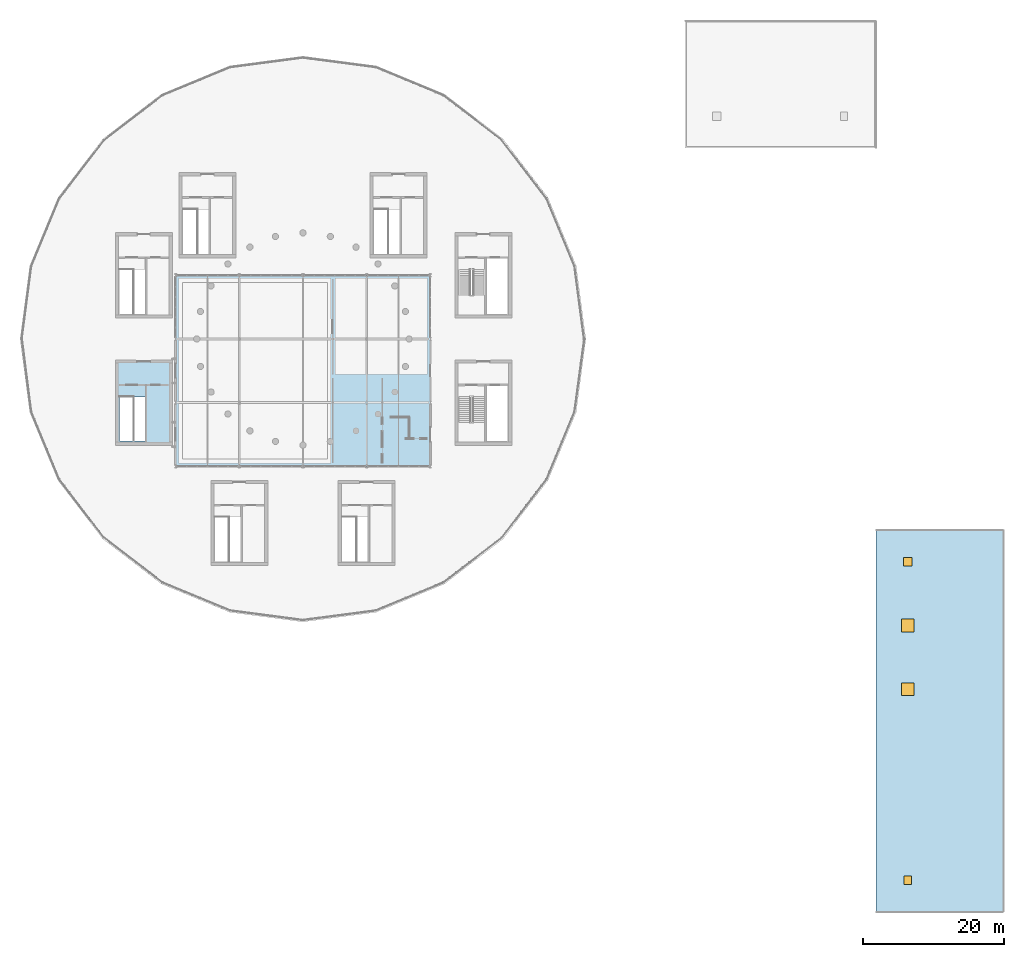
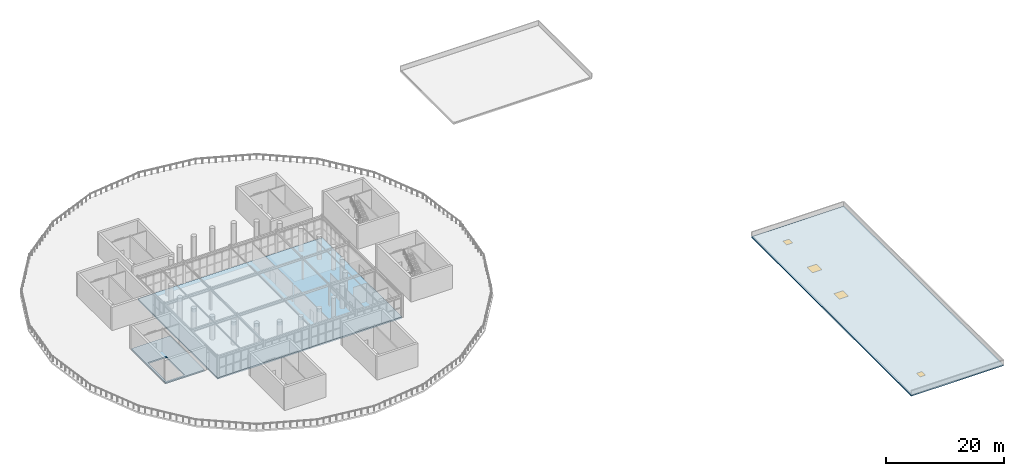
# One storey, part 17 of 29: 3 slabs, 2 doors, 2 windows, 4 openings.
"""IFC4 building model written with IfcOpenShell, lengths in metres."""

from ifc_helpers import new_model, si_unit, direction, frame, origin, origin_2d, place, context, subcontext, project, spatial, polyline, rectangle, outline, extrude, material, layer, layer_set, type_object, element, fill, save


model = new_model("IFC4")

# Units and contexts
model_context = context("Model", 3, precision=1e-05, world=origin(), true_north=direction((0.0, 1.0)))
body_context = subcontext(model_context, "Body", "Model", "MODEL_VIEW")
ifc_project = project(units=[si_unit("LENGTHUNIT", "METRE"), si_unit("AREAUNIT", "SQUARE_METRE"), si_unit("VOLUMEUNIT", "CUBIC_METRE"), si_unit("PLANEANGLEUNIT", "RADIAN"), si_unit("MASSUNIT", "GRAM", prefix="KILO")], contexts=[model_context])

# Site, building, storey
site_placement = place(None, origin())
site = spatial("IfcSite", under=ifc_project, at=site_placement, CompositionType="ELEMENT")
building_placement = place(site_placement, origin())
building = spatial("IfcBuilding", under=site, at=building_placement, Name="Dornveld Trade and Exhibition Forum", CompositionType="ELEMENT")
storey_placement = place(building_placement, frame((0.0, 0.0, 21.60009765625)))
storey = spatial("IfcBuildingStorey", under=building, at=storey_placement, Name="L04", CompositionType="ELEMENT", Elevation=21.60009765625)

# Slabs
ifc_material_1 = material(Name="Concrete C40/50", Category="concrete")
ifc_layer_1 = layer(ifc_material_1, 0.2900390625)
ifc_layer_set_1 = layer_set([ifc_layer_1], Name="Concrete C40/50")
slab_type_1 = type_object("IfcSlabType", Name="SL-DISC-290", PredefinedType="FLOOR", material=ifc_layer_set_1)
slab_1_placement = place(storey_placement, frame((0.0, 0.0, -0.2900390625)))
element("IfcSlab", 1, at=slab_1_placement, inside=storey, type_object=slab_type_1, Name="L04 Belvedere Exhibition Gallery floor slab", PredefinedType="FLOOR", context=body_context, shape_type="SweptSolid", body=[
    extrude(outline(polyline([(99.0, 63.0), (135.0, 63.0), (135.0, 90.0), (99.0, 90.0), (99.0, 63.0)])), origin(), (0.0, 0.0, 1.0), 0.2900390625),
])
slab_2_placement = place(storey_placement, frame((0.0, 0.0, -0.2900390625)))
element("IfcSlab", 2, at=slab_2_placement, inside=storey, type_object=slab_type_1, Name="L04 CORE-05 indoor core lobby slab", PredefinedType="FLOOR", context=body_context, shape_type="SweptSolid", body=[
    extrude(outline(polyline([(90.699951171875, 66.199951171875), (98.300048828125, 66.199951171875), (98.300048828125, 77.800048828125), (90.699951171875, 77.800048828125), (90.699951171875, 66.199951171875)]), holes=[polyline([(91.050048828125, 66.550048828125), (94.64990234375, 66.550048828125), (94.64990234375, 72.830078125), (91.050048828125, 72.830078125), (91.050048828125, 66.550048828125)])]), origin(), (0.0, 0.0, 1.0), 0.2900390625),
])

# Slab, openings, doors, windows
ifc_material_2 = material(Name="Concrete C40/50", Category="concrete")
ifc_layer_2 = layer(ifc_material_2, 0.25)
ifc_layer_set_2 = layer_set([ifc_layer_2], Name="Concrete C40/50")
slab_type_2 = type_object("IfcSlabType", Name="SL-ROOF-250", PredefinedType="ROOF", material=ifc_layer_set_2)
slab_3_placement = place(storey_placement, frame((0.0, 0.0, -0.25)))
slab_3 = element("IfcSlab", 3, at=slab_3_placement, inside=storey, type_object=slab_type_2, Name="East Congress Wing upper flat roof slab", PredefinedType="ROOF", context=body_context, shape_type="SweptSolid", body=[
    extrude(outline(polyline([(198.0, 0.0), (216.0, 0.0), (216.0, 54.0), (198.0, 54.0), (198.0, 0.0)]), holes=[polyline([(201.60009765625, 30.60009765625), (203.39990234375, 30.60009765625), (203.39990234375, 32.39990234375), (201.60009765625, 32.39990234375), (201.60009765625, 30.60009765625)]), polyline([(201.60009765625, 39.60009765625), (203.39990234375, 39.60009765625), (203.39990234375, 41.39990234375), (201.60009765625, 41.39990234375), (201.60009765625, 39.60009765625)]), polyline([(201.89990234375, 48.89990234375), (203.10009765625, 48.89990234375), (203.10009765625, 50.10009765625), (201.89990234375, 50.10009765625), (201.89990234375, 48.89990234375)]), polyline([(202.0, 3.89990234375), (203.0, 3.89990234375), (203.0, 5.10009765625), (202.0, 5.10009765625), (202.0, 3.89990234375)])]), origin(), (0.0, 0.0, 1.0), 0.25),
])
opening_1_placement = place(slab_3_placement, frame((202.5, 31.5, 0.0)))
opening_1 = element("IfcOpeningElement", 4, at=opening_1_placement, cuts=slab_3, Name="Opening SK-05", PredefinedType="OPENING", context=body_context, shape_type="SweptSolid", body=[
    extrude(rectangle(XDim=1.800048828125, YDim=1.800048828125, at=origin_2d()), origin(), (0.0, 0.0, 1.0), 0.25),
])
opening_2_placement = place(slab_3_placement, frame((202.5, 40.5, 0.0)))
opening_2 = element("IfcOpeningElement", 5, at=opening_2_placement, cuts=slab_3, Name="Opening SK-06", PredefinedType="OPENING", context=body_context, shape_type="SweptSolid", body=[
    extrude(rectangle(XDim=1.800048828125, YDim=1.800048828125, at=origin_2d()), origin(), (0.0, 0.0, 1.0), 0.25),
])
opening_3_placement = place(slab_3_placement, frame((202.5, 49.5, 0.0)))
opening_3 = element("IfcOpeningElement", 6, at=opening_3_placement, cuts=slab_3, Name="Opening RH-02", PredefinedType="OPENING", context=body_context, shape_type="SweptSolid", body=[
    extrude(rectangle(XDim=1.199951171875, YDim=1.199951171875, at=origin_2d()), origin(), (0.0, 0.0, 1.0), 0.25),
])
opening_4_placement = place(slab_3_placement, frame((202.5, 4.5, 0.0)))
opening_4 = element("IfcOpeningElement", 7, at=opening_4_placement, cuts=slab_3, Name="Opening RH-03", PredefinedType="OPENING", context=body_context, shape_type="SweptSolid", body=[
    extrude(rectangle(XDim=1.0, YDim=1.199951171875, at=origin_2d()), origin(), (0.0, 0.0, 1.0), 0.25),
])
ifc_material_3 = material(Name="Galvanised insulated steel", Category="steel")
door_type_1 = type_object("IfcDoorType", Name="DR-HATCH-100", OperationType="NOTDEFINED", PredefinedType="TRAPDOOR", material=ifc_material_3)
door_1_placement = place(opening_4_placement, frame((0.0, 0.0, 0.199951171875)))
door_1 = element("IfcDoor", 8, at=door_1_placement, inside=storey, type_object=door_type_1, Name="L04 roof maintenance access hatch 3", OperationType="SINGLE_SWING_LEFT", OverallHeight=1.199951171875, OverallWidth=1.0, PredefinedType="TRAPDOOR", context=body_context, shape_type="SweptSolid", body=[
    extrude(rectangle(XDim=1.0, YDim=1.199951171875, at=origin_2d()), origin(), (0.0, 0.0, 1.0), 0.050048828125),
])
fill(opening_4, door_1)
ifc_material_4 = material(Name="Galvanised insulated steel", Category="steel")
door_type_2 = type_object("IfcDoorType", Name="DR-HATCH-120", OperationType="NOTDEFINED", PredefinedType="TRAPDOOR", material=ifc_material_4)
door_2_placement = place(opening_3_placement, frame((0.0, 0.0, 0.199951171875)))
door_2 = element("IfcDoor", 9, at=door_2_placement, inside=storey, type_object=door_type_2, Name="L04 roof maintenance access hatch 2", OperationType="SINGLE_SWING_LEFT", OverallHeight=1.199951171875, OverallWidth=1.199951171875, PredefinedType="TRAPDOOR", context=body_context, shape_type="SweptSolid", body=[
    extrude(rectangle(XDim=1.199951171875, YDim=1.199951171875, at=origin_2d()), origin(), (0.0, 0.0, 1.0), 0.050048828125),
])
fill(opening_3, door_2)
ifc_material_5 = material(Name="Thermally broken laminated roof skylight glass", Category="glass")
window_type = type_object("IfcWindowType", Name="SKY-RF-180", PartitioningType="SINGLE_PANEL", PredefinedType="SKYLIGHT", material=ifc_material_5)
window_1_placement = place(opening_1_placement, frame((0.0, 0.0, 0.199951171875)))
window_1 = element("IfcWindow", 10, at=window_1_placement, inside=storey, type_object=window_type, Name="L04 roof daylight skylight 5", OverallHeight=1.800048828125, OverallWidth=1.800048828125, PartitioningType="SINGLE_PANEL", PredefinedType="SKYLIGHT", context=body_context, shape_type="SweptSolid", body=[
    extrude(rectangle(XDim=1.800048828125, YDim=1.800048828125, at=origin_2d()), origin(), (0.0, 0.0, 1.0), 0.050048828125),
])
fill(opening_1, window_1)
window_2_placement = place(opening_2_placement, frame((0.0, 0.0, 0.199951171875)))
window_2 = element("IfcWindow", 11, at=window_2_placement, inside=storey, type_object=window_type, Name="L04 roof daylight skylight 6", OverallHeight=1.800048828125, OverallWidth=1.800048828125, PartitioningType="SINGLE_PANEL", PredefinedType="SKYLIGHT", context=body_context, shape_type="SweptSolid", body=[
    extrude(rectangle(XDim=1.800048828125, YDim=1.800048828125, at=origin_2d()), origin(), (0.0, 0.0, 1.0), 0.050048828125),
])
fill(opening_2, window_2)

save(model, "model.ifc")
